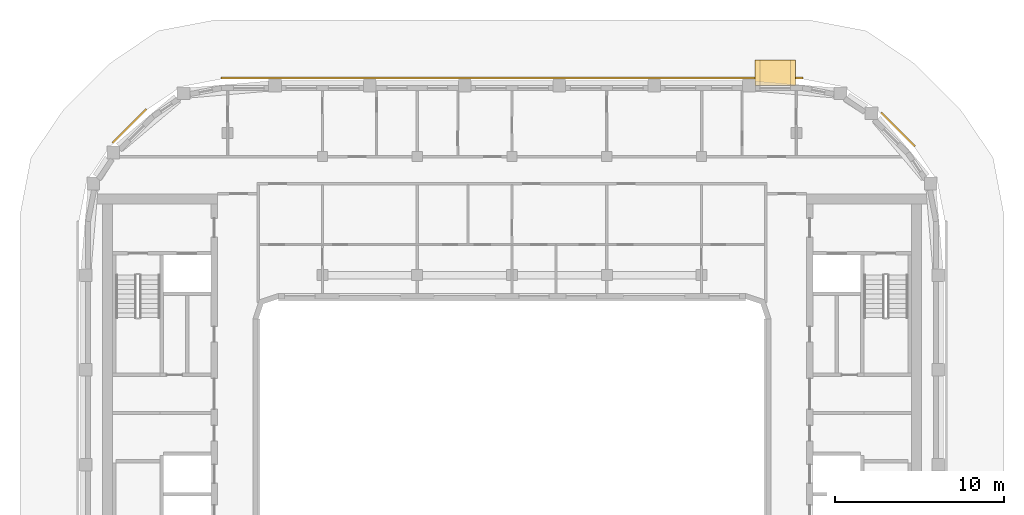
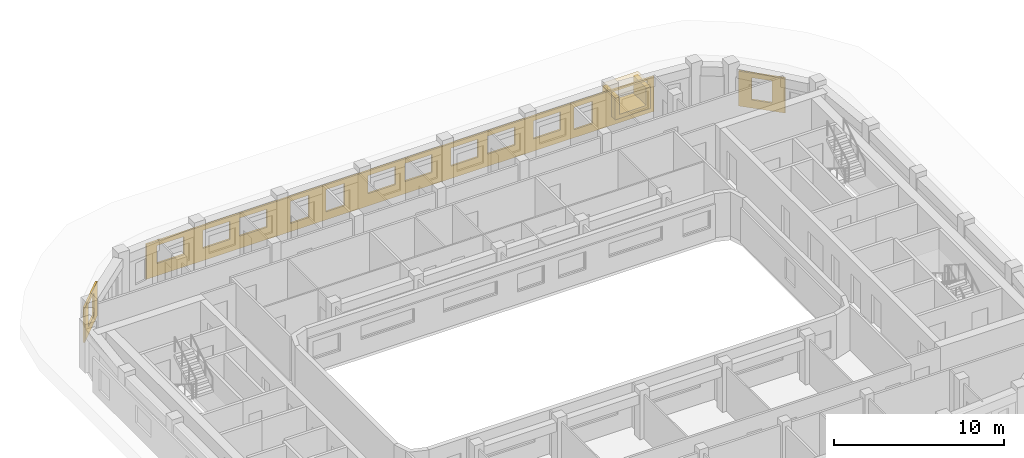
# One storey, part 14 of 14: 5 coverings.
"""IFC4 building model written with IfcOpenShell, lengths in metres."""

from ifc_helpers import new_model, si_unit, direction, frame, origin, origin_2d, place, context, subcontext, project, spatial, polyline, rectangle, outline, extrude, material, layer, layer_set, type_object, element, save


model = new_model("IFC4")

# Units and contexts
model_context = context("Model", 3, precision=1e-05, world=origin(), true_north=direction((0.0, 1.0)))
body_context = subcontext(model_context, "Body", "Model", "MODEL_VIEW")
ifc_project = project(units=[si_unit("LENGTHUNIT", "METRE"), si_unit("AREAUNIT", "SQUARE_METRE"), si_unit("VOLUMEUNIT", "CUBIC_METRE"), si_unit("PLANEANGLEUNIT", "RADIAN"), si_unit("MASSUNIT", "GRAM", prefix="KILO")], contexts=[model_context])

# Site, building, storey
site_placement = place(None, origin())
site = spatial("IfcSite", under=ifc_project, at=site_placement, CompositionType="ELEMENT")
building_placement = place(site_placement, origin())
building = spatial("IfcBuilding", under=site, at=building_placement, Name="Kiln Ring Residences", CompositionType="ELEMENT")
storey_placement = place(building_placement, frame((0.0, 0.0, 280.199951171875)))
storey = spatial("IfcBuildingStorey", under=building, at=storey_placement, Name="L73", CompositionType="ELEMENT", Elevation=280.199951171875)

# Coverings
ifc_material_1 = material(Name="Brick masonry, dark clay brick", Category="masonry")
ifc_layer_1 = layer(ifc_material_1, 0.300048828125)
ifc_layer_set_1 = layer_set([ifc_layer_1], Name="FRAME CHEEKS AND SILL 1500")
covering_type_1 = type_object("IfcCoveringType", Name="FRAME CHEEKS AND SILL 1500", PredefinedType="CLADDING", material=ifc_layer_set_1)
covering_1_placement = place(storey_placement, frame((16.75, 20.35009765625, 0.60009765625), z_axis=(0.0, 0.0, 1.0), x_axis=(-1.0, 0.0, 0.0)))
element("IfcCovering", 1, at=covering_1_placement, inside=storey, type_object=covering_type_1, Name="FRAME L73", PredefinedType="CLADDING", context=body_context, shape_type="SweptSolid", body=[
    extrude(outline(polyline([(0.0, 0.0), (2.39990234375, 0.0), (2.39990234375, 1.550048828125), (2.10107421875, 1.550048828125), (2.10009765625, 0.300048828125), (0.300048828125, 0.300048828125), (0.299072265625, 1.550048828125), (0.0, 1.550048828125), (0.0, 0.0)])), frame((0.0, 0.75, 0.0), z_axis=(0.0, -1.0, 0.0), x_axis=(1.0, 0.0, 0.0)), (0.0, 0.0, 1.0), 1.5),
])
ifc_material_2 = material(Name="Brick masonry, dark clay brick", Category="masonry")
ifc_layer_2 = layer(ifc_material_2, 0.199951171875)
ifc_layer_set_2 = layer_set([ifc_layer_2], Name="FRAME HEAD 1500")
covering_type_2 = type_object("IfcCoveringType", Name="FRAME HEAD 1500", PredefinedType="CLADDING", material=ifc_layer_set_2)
covering_2_placement = place(storey_placement, frame((15.550048828125, 20.35009765625, 2.14990234375), z_axis=(0.0, 0.0, 1.0), x_axis=(-1.0, 0.0, 0.0)))
element("IfcCovering", 2, at=covering_2_placement, inside=storey, type_object=covering_type_2, Name="FRAME HEAD L73", PredefinedType="CLADDING", context=body_context, shape_type="SweptSolid", body=[
    extrude(rectangle(XDim=2.39990234375, YDim=1.5, at=origin_2d()), origin(), (0.0, 0.0, 1.0), 0.199951171875),
])
ifc_material_3 = material(Name="Brick masonry, dark clay brick", Category="masonry")
ifc_layer_3 = layer(ifc_material_3, 0.1201171875)
ifc_layer_set_3 = layer_set([ifc_layer_3], Name="RAINSCREEN PANEL 120")
covering_type_3 = type_object("IfcCoveringType", Name="RAINSCREEN PANEL 120", PredefinedType="CLADDING", material=ifc_layer_set_3)
covering_3_placement = place(storey_placement, frame((23.810546875, 16.004638671875, 0.0), z_axis=(0.0, 0.0, 1.0), x_axis=(-0.707106781187, 0.707106781187, 0.0)))
element("IfcCovering", 3, at=covering_3_placement, inside=storey, type_object=covering_type_3, Name="RAINSCREEN L73", PredefinedType="CLADDING", context=body_context, shape_type="SweptSolid", body=[
    extrude(outline(polyline([(0.0, 0.0), (2.824951171875, 0.0), (2.824951171875, 2.5), (0.0, 2.5), (0.0, 0.0)]), holes=[polyline([(0.79248046875, 2.170166015625), (0.79248046875, 0.580078125), (2.032470703125, 0.580078125), (2.032470703125, 2.170166015625), (0.79248046875, 2.170166015625)])]), frame((0.0, 0.06005859375, 0.0), z_axis=(0.0, -1.0, 0.0), x_axis=(1.0, 0.0, 0.0)), (0.0, 0.0, 1.0), 0.1201171875),
])
covering_4_placement = place(storey_placement, frame((17.199951171875, 20.034912109375, 0.0), z_axis=(0.0, 0.0, 1.0), x_axis=(-1.0, 0.0, 0.0)))
element("IfcCovering", 4, at=covering_4_placement, inside=storey, type_object=covering_type_3, Name="RAINSCREEN L73", PredefinedType="CLADDING", context=body_context, shape_type="SweptSolid", body=[
    extrude(outline(polyline([(0.0, 0.0), (34.39990234375, 0.0), (34.39990234375, 2.5), (0.0, 2.5), (0.0, 0.0)]), holes=[polyline([(4.179931640625, 0.580078125), (5.419921875, 0.580078125), (5.419921875, 2.170166015625), (4.179931640625, 2.170166015625), (4.179931640625, 0.580078125)]), polyline([(0.429931640625, 2.3701171875), (0.429931640625, 0.580078125), (2.8701171875, 0.580078125), (2.8701171875, 2.3701171875), (0.429931640625, 2.3701171875)]), polyline([(6.330078125, 2.170166015625), (6.330078125, 0.880126953125), (8.169921875, 0.880126953125), (8.169921875, 2.170166015625), (6.330078125, 2.170166015625)]), polyline([(9.429931640625, 0.880126953125), (11.27001953125, 0.880126953125), (11.27001953125, 2.170166015625), (9.429931640625, 2.170166015625), (9.429931640625, 0.880126953125)]), polyline([(11.929931640625, 2.170166015625), (11.929931640625, 0.880126953125), (13.77001953125, 0.880126953125), (13.77001953125, 2.170166015625), (11.929931640625, 2.170166015625)]), polyline([(15.030029296875, 2.170166015625), (15.030029296875, 0.880126953125), (16.8701171875, 0.880126953125), (16.8701171875, 2.170166015625), (15.030029296875, 2.170166015625)]), polyline([(20.97998046875, 0.580078125), (22.219970703125, 0.580078125), (22.219970703125, 2.170166015625), (20.97998046875, 2.170166015625), (20.97998046875, 0.580078125)]), polyline([(23.3798828125, 2.170166015625), (23.3798828125, 0.580078125), (24.6201171875, 0.580078125), (24.6201171875, 2.170166015625), (23.3798828125, 2.170166015625)]), polyline([(17.530029296875, 2.170166015625), (17.530029296875, 0.880126953125), (19.3701171875, 0.880126953125), (19.3701171875, 2.170166015625), (17.530029296875, 2.170166015625)]), polyline([(26.22998046875, 0.880126953125), (28.070068359375, 0.880126953125), (28.070068359375, 2.170166015625), (26.22998046875, 2.170166015625), (26.22998046875, 0.880126953125)]), polyline([(28.72998046875, 2.170166015625), (28.72998046875, 0.880126953125), (30.570068359375, 0.880126953125), (30.570068359375, 2.170166015625), (28.72998046875, 2.170166015625)]), polyline([(31.830078125, 2.170166015625), (31.830078125, 0.880126953125), (33.669921875, 0.880126953125), (33.669921875, 2.170166015625), (31.830078125, 2.170166015625)])]), frame((0.0, 0.06005859375, 0.0), z_axis=(0.0, -1.0, 0.0), x_axis=(1.0, 0.0, 0.0)), (0.0, 0.0, 1.0), 0.1201171875),
])
covering_5_placement = place(storey_placement, frame((-21.604736328125, 18.21044921875, 0.0), z_axis=(0.0, 0.0, 1.0), x_axis=(-0.707106781187, -0.707106781187, 0.0)))
element("IfcCovering", 5, at=covering_5_placement, inside=storey, type_object=covering_type_3, Name="RAINSCREEN L73", PredefinedType="CLADDING", context=body_context, shape_type="SweptSolid", body=[
    extrude(outline(polyline([(0.0, 0.0), (2.824951171875, 0.0), (2.824951171875, 2.5), (0.0, 2.5), (0.0, 0.0)]), holes=[polyline([(0.79248046875, 2.170166015625), (0.79248046875, 0.580078125), (2.032470703125, 0.580078125), (2.032470703125, 2.170166015625), (0.79248046875, 2.170166015625)])]), frame((0.0, 0.06005859375, 0.0), z_axis=(0.0, -1.0, 0.0), x_axis=(1.0, 0.0, 0.0)), (0.0, 0.0, 1.0), 0.1201171875),
])

save(model, "model.ifc")
